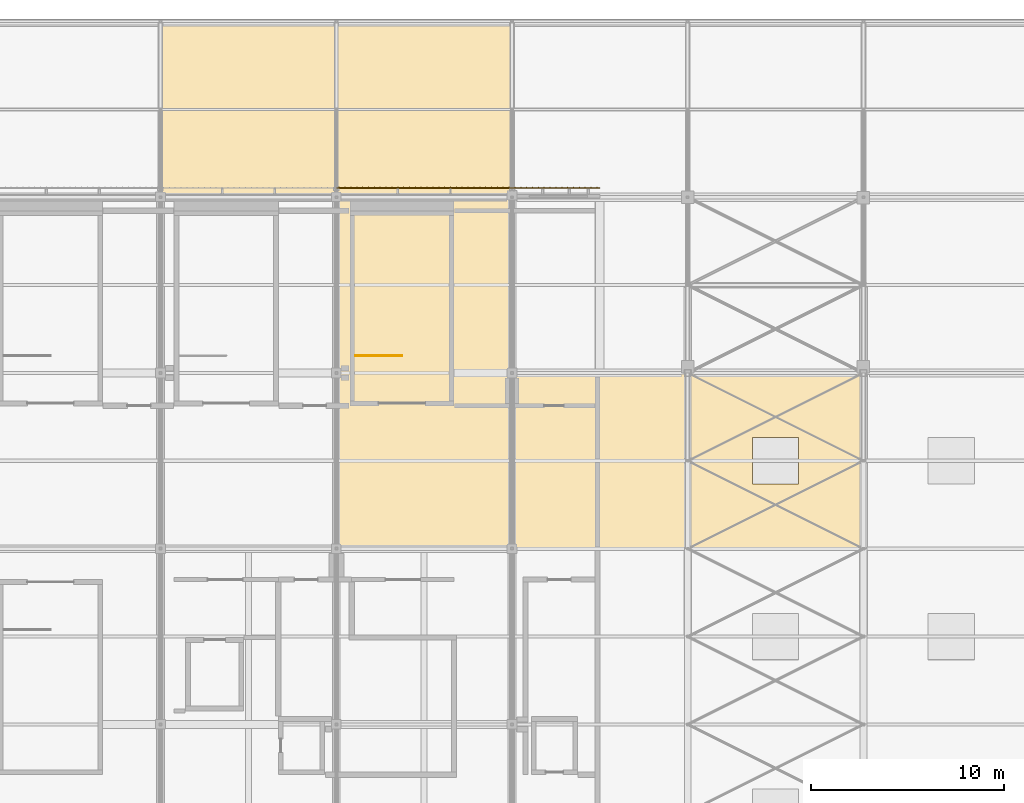
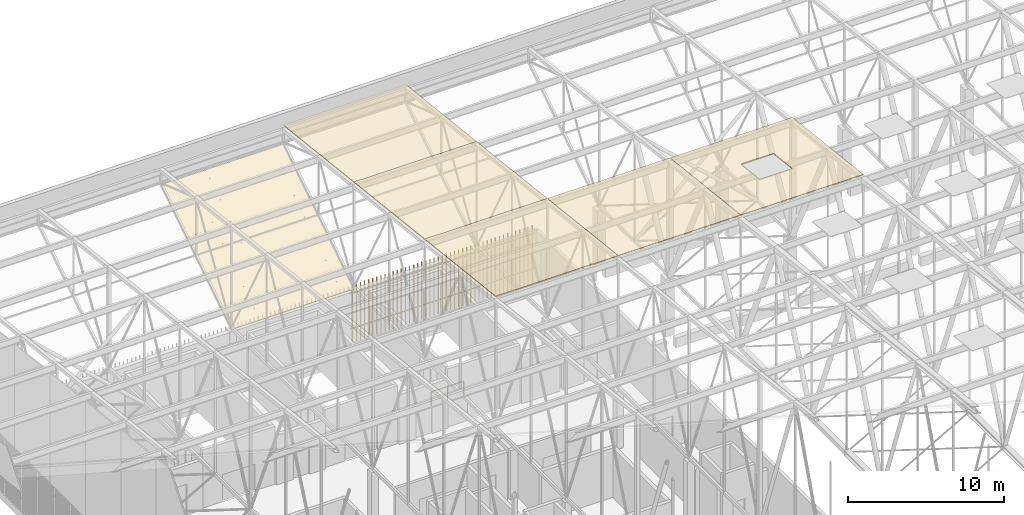
# One storey, part 477 of 500: 6 coverings, 2 shading devices, 1 railing.
"""IFC4 building model written with IfcOpenShell, lengths in metres."""

from ifc_helpers import new_model, si_unit, direction, frame, origin, origin_2d, place, context, subcontext, project, spatial, polyline, rectangle, circle, outline, extrude, material, layer, layer_set, type_object, element, save


model = new_model("IFC4")

# Units and contexts
model_context = context("Model", 3, precision=1e-05, world=origin(), true_north=direction((0.0, 1.0)))
body_context = subcontext(model_context, "Body", "Model", "MODEL_VIEW")
ifc_project = project(units=[si_unit("LENGTHUNIT", "METRE"), si_unit("AREAUNIT", "SQUARE_METRE"), si_unit("VOLUMEUNIT", "CUBIC_METRE"), si_unit("PLANEANGLEUNIT", "RADIAN"), si_unit("MASSUNIT", "GRAM", prefix="KILO")], contexts=[model_context])

# Site, building, storey
site_placement = place(None, origin())
site = spatial("IfcSite", under=ifc_project, at=site_placement, CompositionType="ELEMENT")
building_placement = place(site_placement, origin())
building = spatial("IfcBuilding", under=site, at=building_placement, Name="Shirokan Park Arena", CompositionType="ELEMENT")
storey_placement = place(building_placement, frame((0.0, 0.0, 29.1201171875)))
storey = spatial("IfcBuildingStorey", under=building, at=storey_placement, Name="L06", CompositionType="ELEMENT", Elevation=29.1201171875)

# Coverings
ifc_material_1 = material(Name="Bituminous roofing membrane")
ifc_layer_1 = layer(ifc_material_1, 0.010009765625, Name="Bituminous roofing membrane")
ifc_material_2 = material(Name="Mineral wool insulation")
ifc_layer_2 = layer(ifc_material_2, 0.050048828125, Name="Mineral wool insulation")
ifc_layer_set_1 = layer_set([ifc_layer_1, ifc_layer_2], Name="Bituminous roofing membrane + Mineral wool insulation")
covering_type_1 = type_object("IfcCoveringType", Name="Roofing membrane 60", PredefinedType="ROOFING", material=ifc_layer_set_1)
covering_1_placement = place(storey_placement, frame((27.300048828125, 91.0, 15.0107421875), z_axis=(0.0, 0.113549598152, 0.993532328996), x_axis=(1.0, 0.0, 0.0)))
element("IfcCovering", 1, at=covering_1_placement, inside=storey, type_object=covering_type_1, Name="Roofing", PredefinedType="ROOFING", context=body_context, shape_type="SweptSolid", body=[
    extrude(outline(polyline([(0.0, 0.0), (9.099853515625, 0.0), (9.099853515625, 9.15933723611117), (0.0, 9.15933723611117), (0.0, 0.0)])), origin(), (0.0, 0.0, -1.0), 0.06005859375),
])
covering_2_placement = place(storey_placement, frame((27.300048828125, 100.10009765625, 13.970703125), z_axis=(0.0, 0.113552605302, 0.993531985308), x_axis=(1.0, 0.0, 0.0)))
element("IfcCovering", 2, at=covering_2_placement, inside=storey, type_object=covering_type_1, Name="Roofing", PredefinedType="ROOFING", context=body_context, shape_type="SweptSolid", body=[
    extrude(outline(polyline([(0.0, 0.0), (9.099853515625, 0.0), (9.099853515625, 9.159094674549365), (0.0, 9.159094674549365), (0.0, 0.0)])), origin(), (0.0, 0.0, -1.0), 0.06005859375),
])
covering_3_placement = place(storey_placement, frame((27.300048828125, 109.199951171875, 12.9306640625), z_axis=(0.0, 0.113549598152, 0.993532328996), x_axis=(1.0, 0.0, 0.0)))
element("IfcCovering", 3, at=covering_3_placement, inside=storey, type_object=covering_type_1, Name="Roofing", PredefinedType="ROOFING", context=body_context, shape_type="SweptSolid", body=[
    extrude(outline(polyline([(0.0, 0.0), (9.099853515625, 0.0), (9.099853515625, 9.15933723611117), (0.0, 9.15933723611117), (0.0, 0.0)])), origin(), (0.0, 0.0, -1.0), 0.06005859375),
])
covering_4_placement = place(storey_placement, frame((36.39990234375, 91.0, 15.0107421875), z_axis=(0.0, 0.113549598152, 0.993532328996), x_axis=(1.0, 0.0, 0.0)))
element("IfcCovering", 4, at=covering_4_placement, inside=storey, type_object=covering_type_1, Name="Roofing", PredefinedType="ROOFING", context=body_context, shape_type="SweptSolid", body=[
    extrude(outline(polyline([(0.0, 0.0), (9.10009765625, 0.0), (9.10009765625, 9.15933723611117), (0.0, 9.15933723611117), (0.0, 0.0)])), origin(), (0.0, 0.0, -1.0), 0.06005859375),
])
covering_5_placement = place(storey_placement, frame((45.5, 91.0, 15.0107421875), z_axis=(0.0, 0.113549598152, 0.993532328996), x_axis=(1.0, 0.0, 0.0)))
element("IfcCovering", 5, at=covering_5_placement, inside=storey, type_object=covering_type_1, Name="Roofing", PredefinedType="ROOFING", context=body_context, shape_type="SweptSolid", body=[
    extrude(outline(polyline([(0.0, 0.0), (9.10009765625, 0.0), (9.10009765625, 9.15933723611117), (0.0, 9.15933723611117), (0.0, 0.0)]), holes=[polyline([(5.75, 3.371926254389353), (5.75, 5.78743870379168), (3.35009765625, 5.78743870379168), (3.35009765625, 3.371926254389353), (5.75, 3.371926254389353)])]), origin(), (0.0, 0.0, -1.0), 0.06005859375),
])

# Railing
ifc_material_3 = material(Name="Stainless steel", Category="steel")
railing_type = type_object("IfcRailingType", Name="Stair well guard 1100", PredefinedType="GUARDRAIL", material=ifc_material_3)
railing_placement = place(storey_placement, frame((28.300048828125, 101.0, 0.0)))
element("IfcRailing", 6, at=railing_placement, inside=storey, type_object=railing_type, Name="Guard Exit Stair 4.D L06", PredefinedType="GUARDRAIL", context=body_context, shape_type="SweptSolid", body=[
    extrude(circle(Radius=0.02490234375, at=origin_2d()), frame((0.0, 0.0, 1.0771484375), z_axis=(1.0, 0.0, 0.0), x_axis=(0.0, 1.0, 0.0)), (0.0, 0.0, 1.0), 2.39990234375),
    extrude(circle(Radius=0.02490234375, at=origin_2d()), origin(), (0.0, 0.0, 1.0), 1.052001953125),
    extrude(circle(Radius=0.02490234375, at=origin_2d()), frame((1.199951171875, 0.0, 0.0)), (0.0, 0.0, 1.0), 1.052001953125),
    extrude(circle(Radius=0.02490234375, at=origin_2d()), frame((2.39990234375, 0.0, 0.0)), (0.0, 0.0, 1.0), 1.052001953125),
])

# Covering
ifc_material_4 = material(Name="Timber soffit boards (cedar)", Category="wood")
ifc_layer_3 = layer(ifc_material_4, 0.030029296875)
ifc_layer_set_2 = layer_set([ifc_layer_3], Name="Timber soffit boards (cedar) 30 mm")
covering_type_2 = type_object("IfcCoveringType", Name="Timber boarded soffit panel", PredefinedType="CLADDING", material=ifc_layer_set_2)
covering_6_placement = place(storey_placement, origin())
element("IfcCovering", 7, at=covering_6_placement, inside=storey, type_object=covering_type_2, Name="Eave soffit north bay 3", PredefinedType="CLADDING", context=body_context, shape_type="SweptSolid", body=[
    extrude(outline(polyline([(0.0, 0.0), (0.14269332184793307, 0.0), (0.14269332184793307, -9.100000000000001), (0.0, -9.100000000000001), (0.0, 0.0)])), frame((27.300048828125, 109.320068359375, 4.60302734375), z_axis=(0.0, -0.541090493936, 0.840964373426), x_axis=(0.0, -0.840964373426, -0.541090493936)), (0.0, 0.0, -1.0), 0.030029296875),
    extrude(outline(polyline([(0.0, 0.0), (0.1426933218479331, 0.0), (0.1426933218479331, -9.100000000000003), (0.0, -9.100000000000003), (0.0, 0.0)])), frame((18.199951171875, 118.179931640625, 10.3037109375), z_axis=(0.0, -0.541090493936, 0.840964373426), x_axis=(0.0, 0.840964373426, 0.541090493936)), (0.0, 0.0, -1.0), 0.030029296875),
    extrude(outline(polyline([(0.0, 0.0), (0.120000000000001, 0.0), (0.120000000000001, -10.535473996759716), (0.0, -10.535473996759716), (0.0, 0.0)])), frame((27.300048828125, 109.320068359375, 4.60302734375), z_axis=(0.0, -0.541084340558, 0.84096833258), x_axis=(-1.0, 0.0, 0.0)), (0.0, 0.0, -1.0), 0.030029296875),
    extrude(outline(polyline([(0.0, 0.0), (0.120000000000001, 0.0), (0.120000000000001, -10.535473996759716), (0.0, -10.535473996759716), (0.0, 0.0)])), frame((18.199951171875, 118.179931640625, 10.3037109375), z_axis=(0.0, -0.541084340558, 0.84096833258), x_axis=(1.0, 0.0, 0.0)), (0.0, 0.0, -1.0), 0.030029296875),
    extrude(outline(polyline([(0.0, 0.0), (10.535473996759718, 0.0), (10.535473996759718, -0.183329999999998), (0.0, -0.183329999999998), (0.0, 0.0)])), frame((18.50341796875, 118.179931640625, 10.3037109375), z_axis=(0.0, -0.541084340558, 0.84096833258), x_axis=(0.0, -0.84096833258, -0.541084340558)), (0.0, 0.0, -1.0), 0.030029296875),
    extrude(outline(polyline([(0.0, 0.0), (10.535473996759718, 0.0), (10.535473996759718, -0.30334000000000216), (0.0, -0.30334000000000216), (0.0, 0.0)])), frame((18.806640625, 118.179931640625, 10.3037109375), z_axis=(0.0, -0.541084340558, 0.84096833258), x_axis=(0.0, -0.84096833258, -0.541084340558)), (0.0, 0.0, -1.0), 0.030029296875),
    extrude(outline(polyline([(0.0, 0.0), (10.535473996759718, 0.0), (10.535473996759718, -0.303329999999999), (0.0, -0.303329999999999), (0.0, 0.0)])), frame((19.110107421875, 118.179931640625, 10.3037109375), z_axis=(0.0, -0.541084340558, 0.84096833258), x_axis=(0.0, -0.84096833258, -0.541084340558)), (0.0, 0.0, -1.0), 0.030029296875),
    extrude(outline(polyline([(0.0, 0.0), (10.535473996759718, 0.0), (10.535473996759718, -0.303329999999999), (0.0, -0.303329999999999), (0.0, 0.0)])), frame((19.413330078125, 118.179931640625, 10.3037109375), z_axis=(0.0, -0.541084340558, 0.84096833258), x_axis=(0.0, -0.84096833258, -0.541084340558)), (0.0, 0.0, -1.0), 0.030029296875),
    extrude(outline(polyline([(0.0, 0.0), (10.535473996759718, 0.0), (10.535473996759718, -0.30334000000000216), (0.0, -0.30334000000000216), (0.0, 0.0)])), frame((19.716552734375, 118.179931640625, 10.3037109375), z_axis=(0.0, -0.541084340558, 0.84096833258), x_axis=(0.0, -0.84096833258, -0.541084340558)), (0.0, 0.0, -1.0), 0.030029296875),
    extrude(outline(polyline([(0.0, 0.0), (10.535473996759718, 0.0), (10.535473996759718, -0.303329999999999), (0.0, -0.303329999999999), (0.0, 0.0)])), frame((20.02001953125, 118.179931640625, 10.3037109375), z_axis=(0.0, -0.541084340558, 0.84096833258), x_axis=(0.0, -0.84096833258, -0.541084340558)), (0.0, 0.0, -1.0), 0.030029296875),
    extrude(outline(polyline([(0.0, 0.0), (10.535473996759718, 0.0), (10.535473996759718, -0.303329999999999), (0.0, -0.303329999999999), (0.0, 0.0)])), frame((20.3232421875, 118.179931640625, 10.3037109375), z_axis=(0.0, -0.541084340558, 0.84096833258), x_axis=(0.0, -0.84096833258, -0.541084340558)), (0.0, 0.0, -1.0), 0.030029296875),
    extrude(outline(polyline([(0.0, 0.0), (10.535473996759718, 0.0), (10.535473996759718, -0.30334000000000216), (0.0, -0.30334000000000216), (0.0, 0.0)])), frame((20.626708984375, 118.179931640625, 10.3037109375), z_axis=(0.0, -0.541084340558, 0.84096833258), x_axis=(0.0, -0.84096833258, -0.541084340558)), (0.0, 0.0, -1.0), 0.030029296875),
    extrude(outline(polyline([(0.0, 0.0), (10.535473996759718, 0.0), (10.535473996759718, -0.303329999999999), (0.0, -0.303329999999999), (0.0, 0.0)])), frame((20.929931640625, 118.179931640625, 10.3037109375), z_axis=(0.0, -0.541084340558, 0.84096833258), x_axis=(0.0, -0.84096833258, -0.541084340558)), (0.0, 0.0, -1.0), 0.030029296875),
    extrude(outline(polyline([(0.0, 0.0), (10.535473996759718, 0.0), (10.535473996759718, -0.303329999999999), (0.0, -0.303329999999999), (0.0, 0.0)])), frame((21.2333984375, 118.179931640625, 10.3037109375), z_axis=(0.0, -0.541084340558, 0.84096833258), x_axis=(0.0, -0.84096833258, -0.541084340558)), (0.0, 0.0, -1.0), 0.030029296875),
    extrude(outline(polyline([(0.0, 0.0), (10.535473996759718, 0.0), (10.535473996759718, -0.30334000000000216), (0.0, -0.30334000000000216), (0.0, 0.0)])), frame((21.53662109375, 118.179931640625, 10.3037109375), z_axis=(0.0, -0.541084340558, 0.84096833258), x_axis=(0.0, -0.84096833258, -0.541084340558)), (0.0, 0.0, -1.0), 0.030029296875),
    extrude(outline(polyline([(0.0, 0.0), (10.535473996759718, 0.0), (10.535473996759718, -0.303329999999999), (0.0, -0.303329999999999), (0.0, 0.0)])), frame((21.840087890625, 118.179931640625, 10.3037109375), z_axis=(0.0, -0.541084340558, 0.84096833258), x_axis=(0.0, -0.84096833258, -0.541084340558)), (0.0, 0.0, -1.0), 0.030029296875),
    extrude(outline(polyline([(0.0, 0.0), (10.535473996759718, 0.0), (10.535473996759718, -0.303329999999999), (0.0, -0.303329999999999), (0.0, 0.0)])), frame((22.143310546875, 118.179931640625, 10.3037109375), z_axis=(0.0, -0.541084340558, 0.84096833258), x_axis=(0.0, -0.84096833258, -0.541084340558)), (0.0, 0.0, -1.0), 0.030029296875),
    extrude(outline(polyline([(0.0, 0.0), (10.535473996759718, 0.0), (10.535473996759718, -0.30334000000000216), (0.0, -0.30334000000000216), (0.0, 0.0)])), frame((22.44677734375, 118.179931640625, 10.3037109375), z_axis=(0.0, -0.541084340558, 0.84096833258), x_axis=(0.0, -0.84096833258, -0.541084340558)), (0.0, 0.0, -1.0), 0.030029296875),
    extrude(outline(polyline([(0.0, 0.0), (10.535473996759718, 0.0), (10.535473996759718, -0.303329999999999), (0.0, -0.303329999999999), (0.0, 0.0)])), frame((22.75, 118.179931640625, 10.3037109375), z_axis=(0.0, -0.541084340558, 0.84096833258), x_axis=(0.0, -0.84096833258, -0.541084340558)), (0.0, 0.0, -1.0), 0.030029296875),
    extrude(outline(polyline([(0.0, 0.0), (10.535473996759718, 0.0), (10.535473996759718, -0.303329999999999), (0.0, -0.303329999999999), (0.0, 0.0)])), frame((23.05322265625, 118.179931640625, 10.3037109375), z_axis=(0.0, -0.541084340558, 0.84096833258), x_axis=(0.0, -0.84096833258, -0.541084340558)), (0.0, 0.0, -1.0), 0.030029296875),
    extrude(outline(polyline([(0.0, 0.0), (10.535473996759718, 0.0), (10.535473996759718, -0.30334000000000216), (0.0, -0.30334000000000216), (0.0, 0.0)])), frame((23.356689453125, 118.179931640625, 10.3037109375), z_axis=(0.0, -0.541084340558, 0.84096833258), x_axis=(0.0, -0.84096833258, -0.541084340558)), (0.0, 0.0, -1.0), 0.030029296875),
    extrude(outline(polyline([(0.0, 0.0), (10.535473996759718, 0.0), (10.535473996759718, -0.303329999999999), (0.0, -0.303329999999999), (0.0, 0.0)])), frame((23.659912109375, 118.179931640625, 10.3037109375), z_axis=(0.0, -0.541084340558, 0.84096833258), x_axis=(0.0, -0.84096833258, -0.541084340558)), (0.0, 0.0, -1.0), 0.030029296875),
    extrude(outline(polyline([(0.0, 0.0), (10.535473996759718, 0.0), (10.535473996759718, -0.303329999999999), (0.0, -0.303329999999999), (0.0, 0.0)])), frame((23.96337890625, 118.179931640625, 10.3037109375), z_axis=(0.0, -0.541084340558, 0.84096833258), x_axis=(0.0, -0.84096833258, -0.541084340558)), (0.0, 0.0, -1.0), 0.030029296875),
    extrude(outline(polyline([(0.0, 0.0), (10.535473996759718, 0.0), (10.535473996759718, -0.30334000000000216), (0.0, -0.30334000000000216), (0.0, 0.0)])), frame((24.2666015625, 118.179931640625, 10.3037109375), z_axis=(0.0, -0.541084340558, 0.84096833258), x_axis=(0.0, -0.84096833258, -0.541084340558)), (0.0, 0.0, -1.0), 0.030029296875),
    extrude(outline(polyline([(0.0, 0.0), (10.535473996759718, 0.0), (10.535473996759718, -0.303329999999999), (0.0, -0.303329999999999), (0.0, 0.0)])), frame((24.570068359375, 118.179931640625, 10.3037109375), z_axis=(0.0, -0.541084340558, 0.84096833258), x_axis=(0.0, -0.84096833258, -0.541084340558)), (0.0, 0.0, -1.0), 0.030029296875),
    extrude(outline(polyline([(0.0, 0.0), (10.535473996759718, 0.0), (10.535473996759718, -0.303329999999999), (0.0, -0.303329999999999), (0.0, 0.0)])), frame((24.873291015625, 118.179931640625, 10.3037109375), z_axis=(0.0, -0.541084340558, 0.84096833258), x_axis=(0.0, -0.84096833258, -0.541084340558)), (0.0, 0.0, -1.0), 0.030029296875),
    extrude(outline(polyline([(0.0, 0.0), (10.535473996759718, 0.0), (10.535473996759718, -0.30334000000000216), (0.0, -0.30334000000000216), (0.0, 0.0)])), frame((25.1767578125, 118.179931640625, 10.3037109375), z_axis=(0.0, -0.541084340558, 0.84096833258), x_axis=(0.0, -0.84096833258, -0.541084340558)), (0.0, 0.0, -1.0), 0.030029296875),
    extrude(outline(polyline([(0.0, 0.0), (10.535473996759718, 0.0), (10.535473996759718, -0.303329999999999), (0.0, -0.303329999999999), (0.0, 0.0)])), frame((25.47998046875, 118.179931640625, 10.3037109375), z_axis=(0.0, -0.541084340558, 0.84096833258), x_axis=(0.0, -0.84096833258, -0.541084340558)), (0.0, 0.0, -1.0), 0.030029296875),
    extrude(outline(polyline([(0.0, 0.0), (10.535473996759718, 0.0), (10.535473996759718, -0.303329999999999), (0.0, -0.303329999999999), (0.0, 0.0)])), frame((25.783447265625, 118.179931640625, 10.3037109375), z_axis=(0.0, -0.541084340558, 0.84096833258), x_axis=(0.0, -0.84096833258, -0.541084340558)), (0.0, 0.0, -1.0), 0.030029296875),
    extrude(outline(polyline([(0.0, 0.0), (10.535473996759718, 0.0), (10.535473996759718, -0.30334000000000216), (0.0, -0.30334000000000216), (0.0, 0.0)])), frame((26.086669921875, 118.179931640625, 10.3037109375), z_axis=(0.0, -0.541084340558, 0.84096833258), x_axis=(0.0, -0.84096833258, -0.541084340558)), (0.0, 0.0, -1.0), 0.030029296875),
    extrude(outline(polyline([(0.0, 0.0), (10.535473996759718, 0.0), (10.535473996759718, -0.303329999999999), (0.0, -0.303329999999999), (0.0, 0.0)])), frame((26.389892578125, 118.179931640625, 10.3037109375), z_axis=(0.0, -0.541084340558, 0.84096833258), x_axis=(0.0, -0.84096833258, -0.541084340558)), (0.0, 0.0, -1.0), 0.030029296875),
    extrude(outline(polyline([(0.0, 0.0), (10.535473996759718, 0.0), (10.535473996759718, -0.303329999999999), (0.0, -0.303329999999999), (0.0, 0.0)])), frame((26.693359375, 118.179931640625, 10.3037109375), z_axis=(0.0, -0.541084340558, 0.84096833258), x_axis=(0.0, -0.84096833258, -0.541084340558)), (0.0, 0.0, -1.0), 0.030029296875),
    extrude(outline(polyline([(0.0, 0.0), (10.535473996759718, 0.0), (10.535473996759718, -0.30334000000000216), (0.0, -0.30334000000000216), (0.0, 0.0)])), frame((26.99658203125, 118.179931640625, 10.3037109375), z_axis=(0.0, -0.541084340558, 0.84096833258), x_axis=(0.0, -0.84096833258, -0.541084340558)), (0.0, 0.0, -1.0), 0.030029296875),
    extrude(outline(polyline([(0.0, 0.0), (10.535473996759718, 0.0), (10.535473996759718, -0.183329999999998), (0.0, -0.183329999999998), (0.0, 0.0)])), frame((27.179931640625, 118.179931640625, 10.3037109375), z_axis=(0.0, -0.541084340558, 0.84096833258), x_axis=(0.0, -0.84096833258, -0.541084340558)), (0.0, 0.0, -1.0), 0.030029296875),
])

# Shading devices
ifc_material_5 = material(Name="Timber louvre veil (cedar)", Category="wood")
shading_device_type = type_object("IfcShadingDeviceType", Name="Timber louvre veil panel", PredefinedType="JALOUSIE", material=ifc_material_5)
shading_device_1_placement = place(storey_placement, origin())
element("IfcShadingDevice", 8, at=shading_device_1_placement, inside=storey, type_object=shading_device_type, Name="Timber louvre veil north bay 12 L06", PredefinedType="JALOUSIE", context=body_context, shape_type="SweptSolid", body=[
    extrude(rectangle(XDim=0.050048828125, YDim=0.080078125, at=origin_2d()), frame((40.79833984375, 109.68505859375, 0.0), z_axis=(0.0, 0.0, 1.0), x_axis=(-1.0, 0.0, 0.0)), (0.0, 0.0, 1.0), 4.5),
    extrude(rectangle(XDim=0.050048828125, YDim=0.080078125, at=origin_2d()), frame((40.4951171875, 109.68505859375, 0.0), z_axis=(0.0, 0.0, 1.0), x_axis=(-1.0, 0.0, 0.0)), (0.0, 0.0, 1.0), 4.5),
    extrude(rectangle(XDim=0.050048828125, YDim=0.080078125, at=origin_2d()), frame((40.191650390625, 109.68505859375, 0.0), z_axis=(0.0, 0.0, 1.0), x_axis=(-1.0, 0.0, 0.0)), (0.0, 0.0, 1.0), 4.5),
    extrude(rectangle(XDim=0.050048828125, YDim=0.080078125, at=origin_2d()), frame((39.888427734375, 109.68505859375, 0.0), z_axis=(0.0, 0.0, 1.0), x_axis=(-1.0, 0.0, 0.0)), (0.0, 0.0, 1.0), 4.5),
    extrude(rectangle(XDim=0.050048828125, YDim=0.080078125, at=origin_2d()), frame((39.5849609375, 109.68505859375, 0.0), z_axis=(0.0, 0.0, 1.0), x_axis=(-1.0, 0.0, 0.0)), (0.0, 0.0, 1.0), 4.5),
    extrude(rectangle(XDim=0.050048828125, YDim=0.080078125, at=origin_2d()), frame((39.28173828125, 109.68505859375, 0.0), z_axis=(0.0, 0.0, 1.0), x_axis=(-1.0, 0.0, 0.0)), (0.0, 0.0, 1.0), 4.5),
    extrude(rectangle(XDim=0.050048828125, YDim=0.080078125, at=origin_2d()), frame((38.978271484375, 109.68505859375, 0.0), z_axis=(0.0, 0.0, 1.0), x_axis=(-1.0, 0.0, 0.0)), (0.0, 0.0, 1.0), 4.5),
    extrude(rectangle(XDim=0.050048828125, YDim=0.080078125, at=origin_2d()), frame((38.675048828125, 109.68505859375, 0.0), z_axis=(0.0, 0.0, 1.0), x_axis=(-1.0, 0.0, 0.0)), (0.0, 0.0, 1.0), 4.5),
    extrude(rectangle(XDim=0.050048828125, YDim=0.080078125, at=origin_2d()), frame((38.37158203125, 109.68505859375, 0.0), z_axis=(0.0, 0.0, 1.0), x_axis=(-1.0, 0.0, 0.0)), (0.0, 0.0, 1.0), 4.5),
    extrude(rectangle(XDim=0.050048828125, YDim=0.080078125, at=origin_2d()), frame((38.068359375, 109.68505859375, 0.0), z_axis=(0.0, 0.0, 1.0), x_axis=(-1.0, 0.0, 0.0)), (0.0, 0.0, 1.0), 4.5),
    extrude(rectangle(XDim=0.050048828125, YDim=0.080078125, at=origin_2d()), frame((37.764892578125, 109.68505859375, 0.0), z_axis=(0.0, 0.0, 1.0), x_axis=(-1.0, 0.0, 0.0)), (0.0, 0.0, 1.0), 4.5),
    extrude(rectangle(XDim=0.050048828125, YDim=0.080078125, at=origin_2d()), frame((37.461669921875, 109.68505859375, 0.0), z_axis=(0.0, 0.0, 1.0), x_axis=(-1.0, 0.0, 0.0)), (0.0, 0.0, 1.0), 4.5),
    extrude(rectangle(XDim=0.050048828125, YDim=0.080078125, at=origin_2d()), frame((37.158447265625, 109.68505859375, 0.0), z_axis=(0.0, 0.0, 1.0), x_axis=(-1.0, 0.0, 0.0)), (0.0, 0.0, 1.0), 4.5),
    extrude(rectangle(XDim=0.050048828125, YDim=0.080078125, at=origin_2d()), frame((36.85498046875, 109.68505859375, 0.0), z_axis=(0.0, 0.0, 1.0), x_axis=(-1.0, 0.0, 0.0)), (0.0, 0.0, 1.0), 4.5),
    extrude(rectangle(XDim=0.050048828125, YDim=0.080078125, at=origin_2d()), frame((36.5517578125, 109.68505859375, 0.0), z_axis=(0.0, 0.0, 1.0), x_axis=(-1.0, 0.0, 0.0)), (0.0, 0.0, 1.0), 4.5),
    extrude(rectangle(XDim=4.550048828125, YDim=0.050048828125, at=origin_2d()), frame((38.675048828125, 109.669921875, 1.059814453125), z_axis=(0.0, 0.0, 1.0), x_axis=(-1.0, 0.0, 0.0)), (0.0, 0.0, 1.0), 0.080078125),
    extrude(rectangle(XDim=4.550048828125, YDim=0.050048828125, at=origin_2d()), frame((38.675048828125, 109.669921875, 3.809814453125), z_axis=(0.0, 0.0, 1.0), x_axis=(-1.0, 0.0, 0.0)), (0.0, 0.0, 1.0), 0.080078125),
])
shading_device_2_placement = place(storey_placement, origin())
element("IfcShadingDevice", 9, at=shading_device_2_placement, inside=storey, type_object=shading_device_type, Name="Timber louvre veil north bay 13 L06", PredefinedType="JALOUSIE", context=body_context, shape_type="SweptSolid", body=[
    extrude(rectangle(XDim=0.050048828125, YDim=0.080078125, at=origin_2d()), frame((36.248291015625, 109.68505859375, 0.0), z_axis=(0.0, 0.0, 1.0), x_axis=(-1.0, 0.0, 0.0)), (0.0, 0.0, 1.0), 4.5),
    extrude(rectangle(XDim=0.050048828125, YDim=0.080078125, at=origin_2d()), frame((35.945068359375, 109.68505859375, 0.0), z_axis=(0.0, 0.0, 1.0), x_axis=(-1.0, 0.0, 0.0)), (0.0, 0.0, 1.0), 4.5),
    extrude(rectangle(XDim=0.050048828125, YDim=0.080078125, at=origin_2d()), frame((35.6416015625, 109.68505859375, 0.0), z_axis=(0.0, 0.0, 1.0), x_axis=(-1.0, 0.0, 0.0)), (0.0, 0.0, 1.0), 4.5),
    extrude(rectangle(XDim=0.050048828125, YDim=0.080078125, at=origin_2d()), frame((35.33837890625, 109.68505859375, 0.0), z_axis=(0.0, 0.0, 1.0), x_axis=(-1.0, 0.0, 0.0)), (0.0, 0.0, 1.0), 4.5),
    extrude(rectangle(XDim=0.050048828125, YDim=0.080078125, at=origin_2d()), frame((35.034912109375, 109.68505859375, 0.0), z_axis=(0.0, 0.0, 1.0), x_axis=(-1.0, 0.0, 0.0)), (0.0, 0.0, 1.0), 4.5),
    extrude(rectangle(XDim=0.050048828125, YDim=0.080078125, at=origin_2d()), frame((34.731689453125, 109.68505859375, 0.0), z_axis=(0.0, 0.0, 1.0), x_axis=(-1.0, 0.0, 0.0)), (0.0, 0.0, 1.0), 4.5),
    extrude(rectangle(XDim=0.050048828125, YDim=0.080078125, at=origin_2d()), frame((34.42822265625, 109.68505859375, 0.0), z_axis=(0.0, 0.0, 1.0), x_axis=(-1.0, 0.0, 0.0)), (0.0, 0.0, 1.0), 4.5),
    extrude(rectangle(XDim=0.050048828125, YDim=0.080078125, at=origin_2d()), frame((34.125, 109.68505859375, 0.0), z_axis=(0.0, 0.0, 1.0), x_axis=(-1.0, 0.0, 0.0)), (0.0, 0.0, 1.0), 4.5),
    extrude(rectangle(XDim=0.050048828125, YDim=0.080078125, at=origin_2d()), frame((33.82177734375, 109.68505859375, 0.0), z_axis=(0.0, 0.0, 1.0), x_axis=(-1.0, 0.0, 0.0)), (0.0, 0.0, 1.0), 4.5),
    extrude(rectangle(XDim=0.050048828125, YDim=0.080078125, at=origin_2d()), frame((33.518310546875, 109.68505859375, 0.0), z_axis=(0.0, 0.0, 1.0), x_axis=(-1.0, 0.0, 0.0)), (0.0, 0.0, 1.0), 4.5),
    extrude(rectangle(XDim=0.050048828125, YDim=0.080078125, at=origin_2d()), frame((33.215087890625, 109.68505859375, 0.0), z_axis=(0.0, 0.0, 1.0), x_axis=(-1.0, 0.0, 0.0)), (0.0, 0.0, 1.0), 4.5),
    extrude(rectangle(XDim=0.050048828125, YDim=0.080078125, at=origin_2d()), frame((32.91162109375, 109.68505859375, 0.0), z_axis=(0.0, 0.0, 1.0), x_axis=(-1.0, 0.0, 0.0)), (0.0, 0.0, 1.0), 4.5),
    extrude(rectangle(XDim=0.050048828125, YDim=0.080078125, at=origin_2d()), frame((32.6083984375, 109.68505859375, 0.0), z_axis=(0.0, 0.0, 1.0), x_axis=(-1.0, 0.0, 0.0)), (0.0, 0.0, 1.0), 4.5),
    extrude(rectangle(XDim=0.050048828125, YDim=0.080078125, at=origin_2d()), frame((32.304931640625, 109.68505859375, 0.0), z_axis=(0.0, 0.0, 1.0), x_axis=(-1.0, 0.0, 0.0)), (0.0, 0.0, 1.0), 4.5),
    extrude(rectangle(XDim=0.050048828125, YDim=0.080078125, at=origin_2d()), frame((32.001708984375, 109.68505859375, 0.0), z_axis=(0.0, 0.0, 1.0), x_axis=(-1.0, 0.0, 0.0)), (0.0, 0.0, 1.0), 4.5),
    extrude(rectangle(XDim=0.050048828125, YDim=0.080078125, at=origin_2d()), frame((31.6982421875, 109.68505859375, 0.0), z_axis=(0.0, 0.0, 1.0), x_axis=(-1.0, 0.0, 0.0)), (0.0, 0.0, 1.0), 4.5),
    extrude(rectangle(XDim=0.050048828125, YDim=0.080078125, at=origin_2d()), frame((31.39501953125, 109.68505859375, 0.0), z_axis=(0.0, 0.0, 1.0), x_axis=(-1.0, 0.0, 0.0)), (0.0, 0.0, 1.0), 4.5),
    extrude(rectangle(XDim=0.050048828125, YDim=0.080078125, at=origin_2d()), frame((31.091552734375, 109.68505859375, 0.0), z_axis=(0.0, 0.0, 1.0), x_axis=(-1.0, 0.0, 0.0)), (0.0, 0.0, 1.0), 4.5),
    extrude(rectangle(XDim=0.050048828125, YDim=0.080078125, at=origin_2d()), frame((30.788330078125, 109.68505859375, 0.0), z_axis=(0.0, 0.0, 1.0), x_axis=(-1.0, 0.0, 0.0)), (0.0, 0.0, 1.0), 4.5),
    extrude(rectangle(XDim=0.050048828125, YDim=0.080078125, at=origin_2d()), frame((30.485107421875, 109.68505859375, 0.0), z_axis=(0.0, 0.0, 1.0), x_axis=(-1.0, 0.0, 0.0)), (0.0, 0.0, 1.0), 4.5),
    extrude(rectangle(XDim=0.050048828125, YDim=0.080078125, at=origin_2d()), frame((30.181640625, 109.68505859375, 0.0), z_axis=(0.0, 0.0, 1.0), x_axis=(-1.0, 0.0, 0.0)), (0.0, 0.0, 1.0), 4.5),
    extrude(rectangle(XDim=0.050048828125, YDim=0.080078125, at=origin_2d()), frame((29.87841796875, 109.68505859375, 0.0), z_axis=(0.0, 0.0, 1.0), x_axis=(-1.0, 0.0, 0.0)), (0.0, 0.0, 1.0), 4.5),
    extrude(rectangle(XDim=0.050048828125, YDim=0.080078125, at=origin_2d()), frame((29.574951171875, 109.68505859375, 0.0), z_axis=(0.0, 0.0, 1.0), x_axis=(-1.0, 0.0, 0.0)), (0.0, 0.0, 1.0), 4.5),
    extrude(rectangle(XDim=0.050048828125, YDim=0.080078125, at=origin_2d()), frame((29.271728515625, 109.68505859375, 0.0), z_axis=(0.0, 0.0, 1.0), x_axis=(-1.0, 0.0, 0.0)), (0.0, 0.0, 1.0), 4.5),
    extrude(rectangle(XDim=0.050048828125, YDim=0.080078125, at=origin_2d()), frame((28.96826171875, 109.68505859375, 0.0), z_axis=(0.0, 0.0, 1.0), x_axis=(-1.0, 0.0, 0.0)), (0.0, 0.0, 1.0), 4.5),
    extrude(rectangle(XDim=0.050048828125, YDim=0.080078125, at=origin_2d()), frame((28.6650390625, 109.68505859375, 0.0), z_axis=(0.0, 0.0, 1.0), x_axis=(-1.0, 0.0, 0.0)), (0.0, 0.0, 1.0), 4.5),
    extrude(rectangle(XDim=0.050048828125, YDim=0.080078125, at=origin_2d()), frame((28.361572265625, 109.68505859375, 0.0), z_axis=(0.0, 0.0, 1.0), x_axis=(-1.0, 0.0, 0.0)), (0.0, 0.0, 1.0), 4.5),
    extrude(rectangle(XDim=0.050048828125, YDim=0.080078125, at=origin_2d()), frame((28.058349609375, 109.68505859375, 0.0), z_axis=(0.0, 0.0, 1.0), x_axis=(-1.0, 0.0, 0.0)), (0.0, 0.0, 1.0), 4.5),
    extrude(rectangle(XDim=0.050048828125, YDim=0.080078125, at=origin_2d()), frame((27.7548828125, 109.68505859375, 0.0), z_axis=(0.0, 0.0, 1.0), x_axis=(-1.0, 0.0, 0.0)), (0.0, 0.0, 1.0), 4.5),
    extrude(rectangle(XDim=0.050048828125, YDim=0.080078125, at=origin_2d()), frame((27.45166015625, 109.68505859375, 0.0), z_axis=(0.0, 0.0, 1.0), x_axis=(-1.0, 0.0, 0.0)), (0.0, 0.0, 1.0), 4.5),
    extrude(rectangle(XDim=9.10009765625, YDim=0.050048828125, at=origin_2d()), frame((31.85009765625, 109.669921875, 1.059814453125), z_axis=(0.0, 0.0, 1.0), x_axis=(-1.0, 0.0, 0.0)), (0.0, 0.0, 1.0), 0.080078125),
    extrude(rectangle(XDim=9.10009765625, YDim=0.050048828125, at=origin_2d()), frame((31.85009765625, 109.669921875, 3.809814453125), z_axis=(0.0, 0.0, 1.0), x_axis=(-1.0, 0.0, 0.0)), (0.0, 0.0, 1.0), 0.080078125),
])

save(model, "model.ifc")
